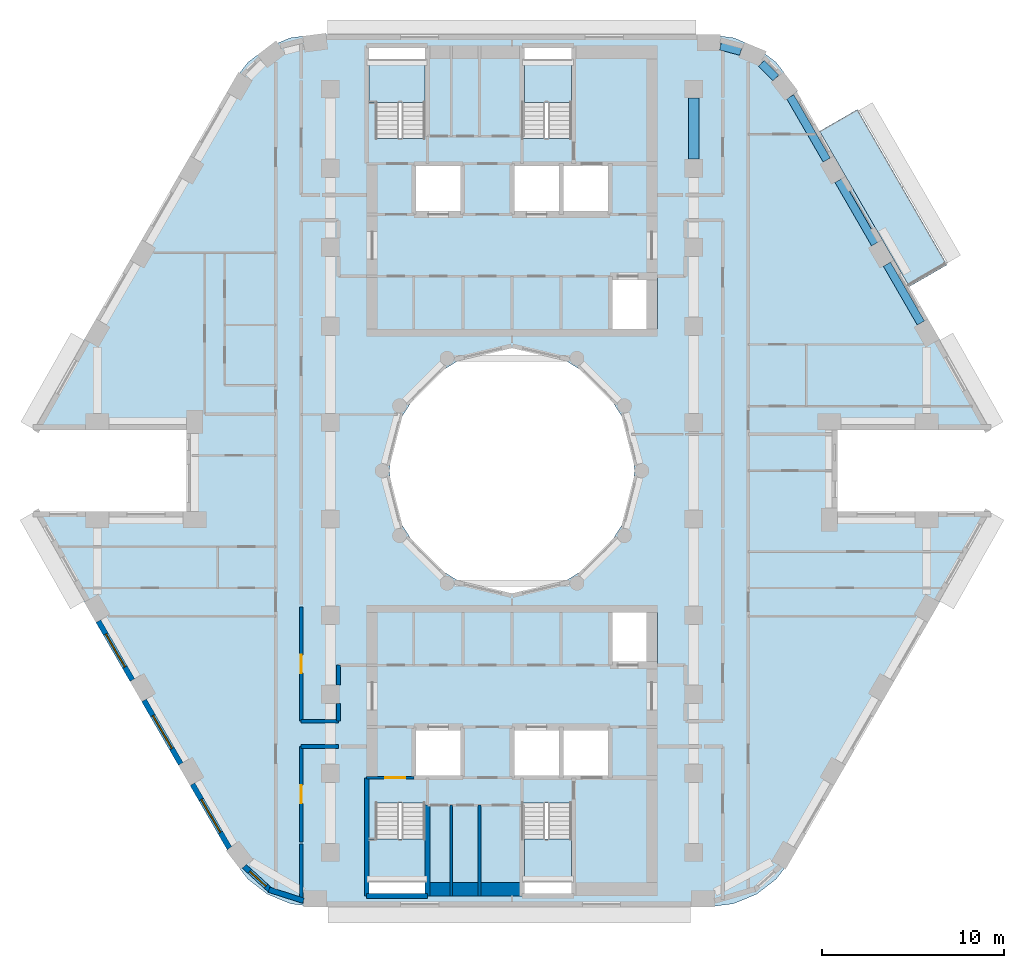
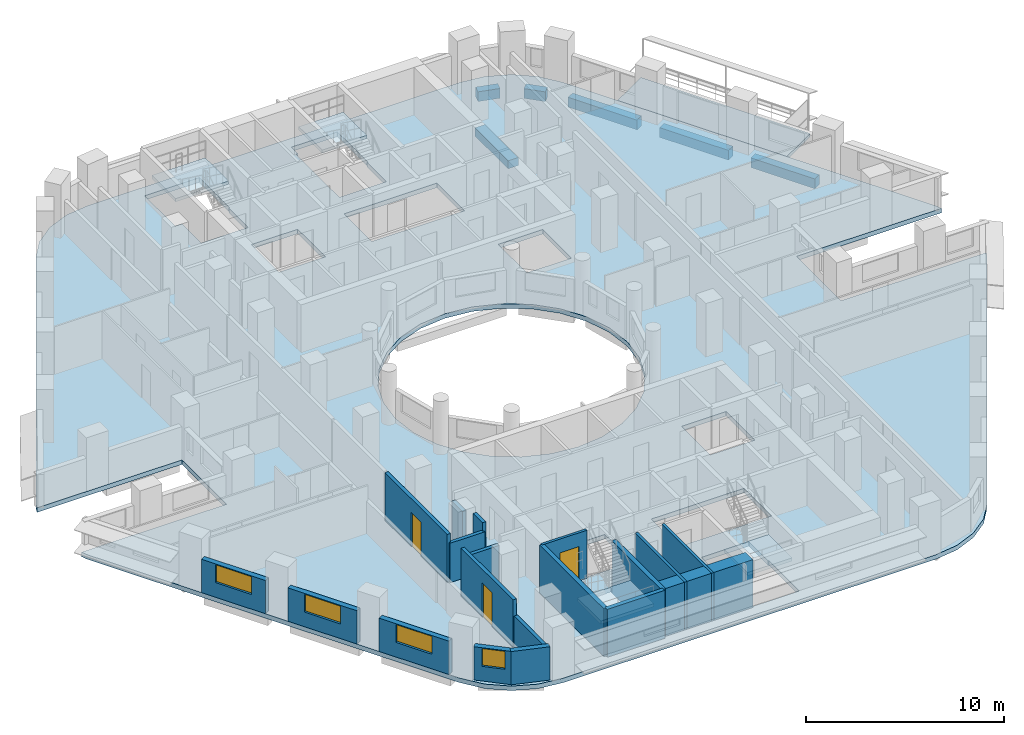
# One storey, part 2 of 14: 19 walls, 6 beams, 6 slabs, 4 windows, 3 doors, 7 openings, 4 elements without a shape of their own.
"""IFC4 building model written with IfcOpenShell, lengths in metres."""

from ifc_helpers import new_model, si_unit, direction, frame, frame_2d, origin, origin_2d, place, context, subcontext, project, spatial, polyline, rectangle, outline, extrude, material, layer, layer_set, material_profile, profile_set, type_object, element, fill, aggregate, save


model = new_model("IFC4")

# Units and contexts
model_context = context("Model", 3, precision=1e-05, world=origin(), true_north=direction((0.0, 1.0)))
body_context = subcontext(model_context, "Body", "Model", "MODEL_VIEW")
ifc_project = project(units=[si_unit("LENGTHUNIT", "METRE"), si_unit("AREAUNIT", "SQUARE_METRE"), si_unit("VOLUMEUNIT", "CUBIC_METRE"), si_unit("PLANEANGLEUNIT", "RADIAN"), si_unit("MASSUNIT", "GRAM", prefix="KILO")], contexts=[model_context])

# Site, building, storey
site_placement = place(None, origin())
site = spatial("IfcSite", under=ifc_project, at=site_placement, CompositionType="ELEMENT")
building_placement = place(site_placement, origin())
building = spatial("IfcBuilding", under=site, at=building_placement, Name="Nakaniwa Court", CompositionType="ELEMENT")
storey_placement = place(building_placement, frame((0.0, 0.0, 166.800048828125)))
storey = spatial("IfcBuildingStorey", under=building, at=storey_placement, Name="L44", CompositionType="ELEMENT", Elevation=166.800048828125)

# Beams
ifc_material_1 = material(Name="Concrete C80/100", Category="concrete")
ifc_material_profile_1 = material_profile(ifc_material_1, rectangle(XDim=0.449951171875, YDim=0.60009765625, at=origin_2d()), Name="Concrete C80/100 RC 450x600 spandrel beam")
ifc_profile_set_1 = profile_set([ifc_material_profile_1], Name="Concrete C80/100")
beam_type_1 = type_object("IfcBeamType", Name="Concrete C80/100 RC 450x600 spandrel beam", PredefinedType="BEAM", material=ifc_profile_set_1)
beam_1_placement = place(storey_placement, frame((102.497802734375, 88.132568359375, -0.574951171875), z_axis=(-0.50001905207, 0.866014403787, 0.0), x_axis=(-0.866014403787, -0.50001905207, 0.0)))
element("IfcBeam", 1, at=beam_1_placement, inside=storey, type_object=beam_type_1, Name="SPANDREL BEAM", PredefinedType="BEAM", context=body_context, shape_type="SweptSolid", body=[
    extrude(rectangle(XDim=0.449951171875, YDim=0.60009765625, at=origin_2d()), origin(), (0.0, 0.0, 1.0), 3.728759765625),
])
beam_2_placement = place(storey_placement, frame((99.9833984375, 92.487548828125, -0.574951171875), z_axis=(-0.499993669216, 0.866029058833, 0.0), x_axis=(-0.866029058833, -0.499993669216, 0.0)))
element("IfcBeam", 2, at=beam_2_placement, inside=storey, type_object=beam_type_1, Name="SPANDREL BEAM", PredefinedType="BEAM", context=body_context, shape_type="SweptSolid", body=[
    extrude(rectangle(XDim=0.449951171875, YDim=0.60009765625, at=origin_2d()), origin(), (0.0, 0.0, 1.0), 4.02587890625),
])
beam_3_placement = place(storey_placement, frame((97.320556640625, 97.10009765625, -0.574951171875), z_axis=(-0.500018573463, 0.866014680125, 0.0), x_axis=(-0.866014680125, -0.500018573463, 0.0)))
element("IfcBeam", 3, at=beam_3_placement, inside=storey, type_object=beam_type_1, Name="SPANDREL BEAM", PredefinedType="BEAM", context=body_context, shape_type="SweptSolid", body=[
    extrude(rectangle(XDim=0.449951171875, YDim=0.60009765625, at=origin_2d()), origin(), (0.0, 0.0, 1.0), 4.020263671875),
])
beam_4_placement = place(storey_placement, frame((94.519775390625, 101.61376953125, -0.574951171875), z_axis=(-0.706022429805, 0.708189472254, 0.0), x_axis=(-0.708189472254, -0.706022429805, 0.0)))
element("IfcBeam", 4, at=beam_4_placement, inside=storey, type_object=beam_type_1, Name="SPANDREL BEAM", PredefinedType="BEAM", context=body_context, shape_type="SweptSolid", body=[
    extrude(rectangle(XDim=0.449951171875, YDim=0.60009765625, at=origin_2d()), origin(), (0.0, 0.0, 1.0), 1.126708984375),
])
beam_5_placement = place(storey_placement, frame((92.593505859375, 103.078857421875, -0.574951171875), z_axis=(-0.966294404875, 0.257439552335, 0.0), x_axis=(-0.257439552335, -0.966294404875, 0.0)))
element("IfcBeam", 5, at=beam_5_placement, inside=storey, type_object=beam_type_1, Name="SPANDREL BEAM", PredefinedType="BEAM", context=body_context, shape_type="SweptSolid", body=[
    extrude(rectangle(XDim=0.449951171875, YDim=0.60009765625, at=origin_2d()), origin(), (0.0, 0.0, 1.0), 1.157958984375),
])
ifc_material_profile_2 = material_profile(ifc_material_1, rectangle(XDim=0.60009765625, YDim=0.5, at=origin_2d()), Name="Concrete C80/100 RC 600x500 ring beam")
ifc_profile_set_2 = profile_set([ifc_material_profile_2], Name="Concrete C80/100")
beam_type_2 = type_object("IfcBeamType", Name="Concrete C80/100 RC 600x500 ring beam", PredefinedType="BEAM", material=ifc_profile_set_2)
beam_6_placement = place(storey_placement, frame((90.0, 97.14990234375, -0.525146484375), z_axis=(0.0, 1.0, 0.0), x_axis=(-1.0, 0.0, 0.0)))
element("IfcBeam", 6, at=beam_6_placement, inside=storey, type_object=beam_type_2, Name="RING BEAM", PredefinedType="BEAM", context=body_context, shape_type="SweptSolid", body=[
    extrude(rectangle(XDim=0.60009765625, YDim=0.5, at=origin_2d()), origin(), (0.0, 0.0, 1.0), 3.35009765625),
])

# Slabs
ifc_material_2 = material(Name="Charcoal ceramic paver")
ifc_layer_1 = layer(ifc_material_2, 0.02, Name="Ceramic paver")
ifc_material_3 = material(Name="Cement sand screed")
ifc_layer_2 = layer(ifc_material_3, 0.03, Name="Falls screed")
ifc_material_4 = material(Name="Concrete C40/50", Category="concrete")
ifc_layer_3 = layer(ifc_material_4, 0.15, Name="Balcony slab")
ifc_layer_set_1 = layer_set([ifc_layer_1, ifc_layer_2, ifc_layer_3], Name="Concrete C40/50 balcony slab with ceramic paver finish")
slab_type_1 = type_object("IfcSlabType", Name="Balcony slab 200", PredefinedType="FLOOR", material=ifc_layer_set_1)
slab_1_placement = place(storey_placement, frame((0.0, 0.0, -0.25)))
element("IfcSlab", 7, at=slab_1_placement, inside=storey, type_object=slab_type_1, Name="L44 balcony 01", PredefinedType="FLOOR", context=body_context, shape_type="SweptSolid", body=[
    extrude(outline(polyline([(101.86328125, 90.1318359375), (96.927734375, 98.680419921875), (99.006103515625, 99.88037109375), (103.941650390625, 91.331787109375), (101.86328125, 90.1318359375)])), origin(), (0.0, 0.0, 1.0), 0.199951171875),
])
ifc_layer_4 = layer(ifc_material_1, 0.27490234375)
ifc_layer_set_2 = layer_set([ifc_layer_4], Name="Concrete C80/100")
slab_type_2 = type_object("IfcSlabType", Name="Concrete C80/100 post tensioned floor slab 275", PredefinedType="FLOOR", material=ifc_layer_set_2)
slab_2_placement = place(storey_placement, frame((0.0, 0.0, -0.275146484375)))
element("IfcSlab", 8, at=slab_2_placement, inside=storey, type_object=slab_type_2, Name="FLOOR SLAB", PredefinedType="FLOOR", context=body_context, shape_type="SweptSolid", body=[
    extrude(outline(polyline([(97.908447265625, 82.25), (106.356689453125, 82.25), (106.211669921875, 82.60009765625), (95.357421875, 101.39990234375), (94.531005859375, 102.47705078125), (93.4541015625, 103.30322265625), (92.199951171875, 103.82275390625), (90.854248046875, 104.0), (69.145751953125, 104.0), (67.800048828125, 103.82275390625), (66.5458984375, 103.30322265625), (65.468994140625, 102.47705078125), (64.642578125, 101.39990234375), (53.788330078125, 82.60009765625), (53.643310546875, 82.25), (62.091552734375, 82.25), (62.091552734375, 77.75), (53.643310546875, 77.75), (53.788330078125, 77.39990234375), (64.642578125, 58.60009765625), (65.468994140625, 57.52294921875), (66.5458984375, 56.69677734375), (67.800048828125, 56.17724609375), (69.145751953125, 56.0), (90.854248046875, 56.0), (92.199951171875, 56.17724609375), (93.4541015625, 56.69677734375), (94.531005859375, 57.52294921875), (95.357421875, 58.60009765625), (106.211669921875, 77.39990234375), (106.356689453125, 77.75), (97.908447265625, 77.75), (97.908447265625, 82.25)]), holes=[polyline([(81.501953125, 86.580810546875), (80.0, 86.75), (78.498046875, 86.580810546875), (77.0712890625, 86.08154296875), (75.79150390625, 85.27734375), (74.72265625, 84.20849609375), (73.91845703125, 82.9287109375), (73.419189453125, 81.501953125), (73.25, 80.0), (73.419189453125, 78.498046875), (73.91845703125, 77.0712890625), (74.72265625, 75.79150390625), (75.79150390625, 74.72265625), (77.0712890625, 73.91845703125), (78.498046875, 73.419189453125), (80.0, 73.25), (81.501953125, 73.419189453125), (82.9287109375, 73.91845703125), (84.20849609375, 74.72265625), (85.27734375, 75.79150390625), (86.08154296875, 77.0712890625), (86.580810546875, 78.498046875), (86.75, 80.0), (86.580810546875, 81.501953125), (86.08154296875, 82.9287109375), (85.27734375, 84.20849609375), (84.20849609375, 85.27734375), (82.9287109375, 86.08154296875), (81.501953125, 86.580810546875)]), polyline([(72.47509765625, 61.7099609375), (72.47509765625, 59.764892578125), (72.0849609375, 59.764892578125), (72.0849609375, 56.68505859375), (75.264892578125, 56.68505859375), (75.264892578125, 59.764892578125), (75.22509765625, 59.764892578125), (75.22509765625, 61.7099609375), (72.47509765625, 61.7099609375)]), polyline([(77.300048828125, 65.89990234375), (74.60009765625, 65.89990234375), (74.60009765625, 63.10009765625), (77.300048828125, 63.10009765625), (77.300048828125, 65.89990234375)]), polyline([(80.0, 65.89990234375), (80.0, 63.10009765625), (82.699951171875, 63.10009765625), (85.39990234375, 63.10009765625), (85.39990234375, 65.89990234375), (82.699951171875, 65.89990234375), (80.0, 65.89990234375)]), polyline([(77.300048828125, 96.89990234375), (74.60009765625, 96.89990234375), (74.60009765625, 94.10009765625), (77.300048828125, 94.10009765625), (77.300048828125, 96.89990234375)]), polyline([(80.0, 96.89990234375), (80.0, 94.10009765625), (82.699951171875, 94.10009765625), (85.39990234375, 94.10009765625), (85.39990234375, 96.89990234375), (82.699951171875, 96.89990234375), (80.0, 96.89990234375)]), polyline([(75.264892578125, 100.235107421875), (75.264892578125, 103.31494140625), (72.0849609375, 103.31494140625), (72.0849609375, 100.235107421875), (72.47509765625, 100.235107421875), (72.47509765625, 98.2900390625), (75.22509765625, 98.2900390625), (75.22509765625, 100.235107421875), (75.264892578125, 100.235107421875)]), polyline([(83.27490234375, 61.7099609375), (80.52490234375, 61.7099609375), (80.52490234375, 57.324951171875), (80.635009765625, 57.324951171875), (80.635009765625, 56.68505859375), (83.31494140625, 56.68505859375), (83.31494140625, 59.764892578125), (83.27490234375, 59.764892578125), (83.27490234375, 61.7099609375)]), polyline([(88.0, 72.199951171875), (85.39990234375, 72.199951171875), (85.39990234375, 69.300048828125), (88.0, 69.300048828125), (88.0, 72.199951171875)]), polyline([(88.0, 90.699951171875), (85.39990234375, 90.699951171875), (85.39990234375, 87.800048828125), (88.0, 87.800048828125), (88.0, 90.699951171875)]), polyline([(83.31494140625, 100.235107421875), (83.31494140625, 103.31494140625), (80.635009765625, 103.31494140625), (80.635009765625, 102.675048828125), (80.52490234375, 102.675048828125), (80.52490234375, 98.2900390625), (83.27490234375, 98.2900390625), (83.27490234375, 100.235107421875), (83.31494140625, 100.235107421875)])]), origin(), (0.0, 0.0, 1.0), 0.275146484375),
])

# Stair, slab
stair_type = type_object("IfcStairType", Name="Dog leg stair 1300 wide 18 risers", PredefinedType="HALF_TURN_STAIR", material=ifc_material_1)
stair_1_placement = place(storey_placement, origin())
stair_1 = element("IfcStair", 9, at=stair_1_placement, inside=storey, type_object=stair_type, Name="L44 Stair ST1", PredefinedType="HALF_TURN_STAIR")
ifc_layer_5 = layer(ifc_material_1, 0.199951171875)
ifc_layer_set_3 = layer_set([ifc_layer_5], Name="Concrete C80/100")
slab_type_3 = type_object("IfcSlabType", Name="Stair landing concrete", PredefinedType="LANDING", material=ifc_layer_set_3)
slab_3_placement = place(storey_placement, frame((0.0, 0.0, 1.449951171875)))
slab_3 = element("IfcSlab", 10, at=slab_3_placement, type_object=slab_type_3, Name="ST1 landing 1", PredefinedType="LANDING", context=body_context, shape_type="SweptSolid", body=[
    extrude(outline(polyline([(75.22509765625, 100.27490234375), (75.22509765625, 102.64990234375), (72.125, 102.64990234375), (72.125, 100.27490234375), (75.22509765625, 100.27490234375)])), origin(), (0.0, 0.0, 1.0), 0.199951171875),
])
aggregate(stair_1, [slab_3])

stair_2_placement = place(storey_placement, origin())
stair_2 = element("IfcStair", 11, at=stair_2_placement, inside=storey, type_object=stair_type, Name="L44 Stair ST2", PredefinedType="HALF_TURN_STAIR")
slab_4_placement = place(storey_placement, frame((0.0, 0.0, 1.449951171875)))
slab_4 = element("IfcSlab", 12, at=slab_4_placement, type_object=slab_type_3, Name="ST2 landing 1", PredefinedType="LANDING", context=body_context, shape_type="SweptSolid", body=[
    extrude(outline(polyline([(83.27490234375, 100.27490234375), (83.27490234375, 102.64990234375), (80.675048828125, 102.64990234375), (80.675048828125, 100.27490234375), (83.27490234375, 100.27490234375)])), origin(), (0.0, 0.0, 1.0), 0.199951171875),
])
aggregate(stair_2, [slab_4])

stair_3_placement = place(storey_placement, origin())
stair_3 = element("IfcStair", 13, at=stair_3_placement, inside=storey, type_object=stair_type, Name="L44 Stair ST3", PredefinedType="HALF_TURN_STAIR")
slab_5_placement = place(storey_placement, frame((0.0, 0.0, 1.449951171875)))
slab_5 = element("IfcSlab", 14, at=slab_5_placement, type_object=slab_type_3, Name="ST3 landing 1", PredefinedType="LANDING", context=body_context, shape_type="SweptSolid", body=[
    extrude(outline(polyline([(75.22509765625, 57.35009765625), (75.22509765625, 59.72509765625), (72.125, 59.72509765625), (72.125, 57.35009765625), (75.22509765625, 57.35009765625)])), origin(), (0.0, 0.0, 1.0), 0.199951171875),
])
aggregate(stair_3, [slab_5])

stair_4_placement = place(storey_placement, origin())
stair_4 = element("IfcStair", 15, at=stair_4_placement, inside=storey, type_object=stair_type, Name="L44 Stair ST4", PredefinedType="HALF_TURN_STAIR")
slab_6_placement = place(storey_placement, frame((0.0, 0.0, 1.449951171875)))
slab_6 = element("IfcSlab", 16, at=slab_6_placement, type_object=slab_type_3, Name="ST4 landing 1", PredefinedType="LANDING", context=body_context, shape_type="SweptSolid", body=[
    extrude(outline(polyline([(83.27490234375, 57.35009765625), (83.27490234375, 59.72509765625), (80.675048828125, 59.72509765625), (80.675048828125, 57.35009765625), (83.27490234375, 57.35009765625)])), origin(), (0.0, 0.0, 1.0), 0.199951171875),
])
aggregate(stair_4, [slab_6])

# Walls
ifc_material_5 = material(Name="Acoustic double stud partition")
ifc_layer_6 = layer(ifc_material_5, 0.199951171875)
ifc_layer_set_4 = layer_set([ifc_layer_6], Name="Acoustic double stud partition")
wall_type_1 = type_object("IfcWallType", Name="Acoustic double stud partition 200", PredefinedType="PARTITIONING", material=ifc_layer_set_4)
wall_1_placement = place(storey_placement, frame((68.39990234375, 64.824951171875, 0.0), z_axis=(0.0, 0.0, 1.0), x_axis=(1.0, 0.0, 0.0)))
element("IfcWall", 17, at=wall_1_placement, inside=storey, type_object=wall_type_1, Name="Partition PW-081", PredefinedType="PARTITIONING", context=body_context, shape_type="SweptSolid", body=[
    extrude(rectangle(XDim=2.06298828125, YDim=0.199951171875, at=frame_2d((1.031494140625, 0.0))), origin(), (0.0, 0.0, 1.0), 2.429931640625),
])
wall_2_placement = place(storey_placement, frame((68.39990234375, 66.22509765625, 0.0), z_axis=(0.0, 0.0, 1.0), x_axis=(1.0, 0.0, 0.0)))
element("IfcWall", 18, at=wall_2_placement, inside=storey, type_object=wall_type_1, Name="Partition PW-092", PredefinedType="PARTITIONING", context=body_context, shape_type="SweptSolid", body=[
    extrude(rectangle(XDim=2.050048828125, YDim=0.199951171875, at=frame_2d((1.02490234375, 0.0))), origin(), (0.0, 0.0, 1.0), 2.429931640625),
])
wall_3_placement = place(storey_placement, frame((68.39990234375, 56.40087890625, 0.0), z_axis=(0.0, 0.0, 1.0), x_axis=(0.0, 1.0, 0.0)))
element("IfcWall", 19, at=wall_3_placement, inside=storey, type_object=wall_type_1, Name="Partition PW-102", PredefinedType="PARTITIONING", context=body_context, shape_type="SweptSolid", body=[
    extrude(rectangle(XDim=3.06201171875, YDim=0.199951171875, at=frame_2d((1.531005859375, 0.0))), origin(), (0.0, 0.0, 1.0), 2.030029296875),
])

# Wall, opening, door
wall_4_placement = place(storey_placement, frame((68.39990234375, 64.824951171875, 0.0), z_axis=(0.0, 0.0, 1.0), x_axis=(0.0, -1.0, 0.0)))
wall_4 = element("IfcWall", 20, at=wall_4_placement, inside=storey, type_object=wall_type_1, Name="Partition PW-103", PredefinedType="PARTITIONING", context=body_context, shape_type="SweptSolid", body=[
    extrude(rectangle(XDim=5.247802734375, YDim=0.199951171875, at=frame_2d((2.6240234375, 0.0))), origin(), (0.0, 0.0, 1.0), 2.949951171875),
])
opening_1_placement = place(wall_4_placement, frame((2.123046875, 0.0, 0.0)))
opening_1 = element("IfcOpeningElement", 21, at=opening_1_placement, cuts=wall_4, Name="Opening D-02-03", PredefinedType="OPENING", context=body_context, shape_type="SweptSolid", body=[
    extrude(rectangle(XDim=1.0, YDim=2.10009765625, at=frame_2d((0.5, 1.050048828125))), frame((0.0, 0.10986328125, 0.0), z_axis=(0.0, -1.0, 0.0), x_axis=(1.0, 0.0, 0.0)), (0.0, 0.0, 1.0), 0.219970703125),
])
ifc_material_6 = material(Name="Solid core timber door set, black veneer", Category="wood")
door_type_1 = type_object("IfcDoorType", Name="Internal door 1000", OperationType="NOTDEFINED", PredefinedType="DOOR", material=ifc_material_6)
door_1_placement = place(opening_1_placement, origin())
door_1 = element("IfcDoor", 22, at=door_1_placement, inside=storey, type_object=door_type_1, Name="Door D-02-03 L44-041", OperationType="SINGLE_SWING_RIGHT", OverallHeight=2.10009765625, OverallWidth=1.0, PredefinedType="DOOR", context=body_context, shape_type="SweptSolid", body=[
    extrude(rectangle(XDim=1.0, YDim=2.10009765625, at=frame_2d((0.5, 1.050048828125))), frame((0.0, 0.02490234375, 0.0), z_axis=(0.0, -1.0, 0.0), x_axis=(1.0, 0.0, 0.0)), (0.0, 0.0, 1.0), 0.050048828125),
])
fill(opening_1, door_1)

wall_5_placement = place(storey_placement, frame((68.39990234375, 72.5126953125, 0.0), z_axis=(0.0, 0.0, 1.0), x_axis=(0.0, -1.0, 0.0)))
wall_5 = element("IfcWall", 23, at=wall_5_placement, inside=storey, type_object=wall_type_1, Name="Partition PW-104", PredefinedType="PARTITIONING", context=body_context, shape_type="SweptSolid", body=[
    extrude(rectangle(XDim=6.28759765625, YDim=0.199951171875, at=frame_2d((3.143798828125, 0.0))), origin(), (0.0, 0.0, 1.0), 2.949951171875),
])
opening_2_placement = place(wall_5_placement, frame((2.64501953125, 0.0, 0.0)))
opening_2 = element("IfcOpeningElement", 24, at=opening_2_placement, cuts=wall_5, Name="Opening D-02-04", PredefinedType="OPENING", context=body_context, shape_type="SweptSolid", body=[
    extrude(rectangle(XDim=1.0, YDim=2.10009765625, at=frame_2d((0.5, 1.050048828125))), frame((0.0, 0.10986328125, 0.0), z_axis=(0.0, -1.0, 0.0), x_axis=(1.0, 0.0, 0.0)), (0.0, 0.0, 1.0), 0.219970703125),
])
door_2_placement = place(opening_2_placement, origin())
door_2 = element("IfcDoor", 25, at=door_2_placement, inside=storey, type_object=door_type_1, Name="Door D-02-04 L44-043", OperationType="SINGLE_SWING_RIGHT", OverallHeight=2.10009765625, OverallWidth=1.0, PredefinedType="DOOR", context=body_context, shape_type="SweptSolid", body=[
    extrude(rectangle(XDim=1.0, YDim=2.10009765625, at=frame_2d((0.5, 1.050048828125))), frame((0.0, 0.02490234375, 0.0), z_axis=(0.0, -1.0, 0.0), x_axis=(1.0, 0.0, 0.0)), (0.0, 0.0, 1.0), 0.050048828125),
])
fill(opening_2, door_2)

# Walls
wall_6_placement = place(storey_placement, frame((70.449951171875, 66.22509765625, 0.0), z_axis=(0.0, 0.0, 1.0), x_axis=(0.0, 1.0, 0.0)))
element("IfcWall", 26, at=wall_6_placement, inside=storey, type_object=wall_type_1, Name="Partition PW-111", PredefinedType="PARTITIONING", context=body_context, shape_type="SweptSolid", body=[
    extrude(rectangle(XDim=0.957763671875, YDim=0.199951171875, at=frame_2d((0.47900390625, 0.0))), origin(), (0.0, 0.0, 1.0), 2.949951171875),
])
wall_7_placement = place(storey_placement, frame((70.449951171875, 68.21728515625, 0.0), z_axis=(0.0, 0.0, 1.0), x_axis=(0.0, 1.0, 0.0)))
element("IfcWall", 27, at=wall_7_placement, inside=storey, type_object=wall_type_1, Name="Partition PW-112", PredefinedType="PARTITIONING", context=body_context, shape_type="SweptSolid", body=[
    extrude(rectangle(XDim=1.082763671875, YDim=0.199951171875, at=frame_2d((0.54150390625, 0.0))), origin(), (0.0, 0.0, 1.0), 2.429931640625),
])

# Wall, opening, window
ifc_material_7 = material(Name="Charcoal ceramic cladding")
ifc_layer_7 = layer(ifc_material_7, 0.02, Name="Ceramic cladding")
ifc_material_8 = material(Name="Ventilated air cavity")
ifc_layer_8 = layer(ifc_material_8, 0.04, ventilated=True, Name="Ventilated cavity")
ifc_material_9 = material(Name="Mineral wool insulation")
ifc_layer_9 = layer(ifc_material_9, 0.1, Name="Insulation")
ifc_material_10 = material(Name="Cement bonded sheathing board")
ifc_layer_10 = layer(ifc_material_10, 0.012, Name="Sheathing")
ifc_material_11 = material(Name="Cold-formed galvanised stud frame with mineral wool infill")
ifc_layer_11 = layer(ifc_material_11, 0.1, Name="Stud frame")
ifc_material_12 = material(Name="Fire-rated gypsum plasterboard lining")
ifc_layer_12 = layer(ifc_material_12, 0.028, Name="Lining")
ifc_layer_set_5 = layer_set([ifc_layer_7, ifc_layer_8, ifc_layer_9, ifc_layer_10, ifc_layer_11, ifc_layer_12], Name="Charcoal ceramic faced external wall system")
wall_type_2 = type_object("IfcWallType", Name="Black ceramic faced external wall 300", PredefinedType="SOLIDWALL", material=ifc_layer_set_5)
wall_8_placement = place(storey_placement, frame((57.240478515625, 71.720947265625, 0.0), z_axis=(0.0, 0.0, 1.0), x_axis=(0.499933594891, -0.866063739398, 0.0)))
wall_8 = element("IfcWall", 28, at=wall_8_placement, inside=storey, type_object=wall_type_2, Name="L44 external wall 21", PredefinedType="SOLIDWALL", context=body_context, shape_type="SweptSolid", body=[
    extrude(rectangle(XDim=3.73681640625, YDim=0.300048828125, at=frame_2d((1.868408203125, 0.0))), origin(), (0.0, 0.0, 1.0), 2.050048828125),
])
opening_3_placement = place(wall_8_placement, frame((0.818359375, 0.0, 0.89990234375)))
opening_3 = element("IfcOpeningElement", 29, at=opening_3_placement, cuts=wall_8, Name="Opening W7.19", PredefinedType="OPENING", context=body_context, shape_type="SweptSolid", body=[
    extrude(rectangle(XDim=2.10009765625, YDim=1.10009765625, at=frame_2d((1.050048828125, 0.550048828125))), frame((0.0, 0.159912109375, 0.0), z_axis=(0.0, -1.0, 0.0), x_axis=(1.0, 0.0, 0.0)), (0.0, 0.0, 1.0), 0.320068359375),
])
ifc_material_13 = material(Name="Black anodised aluminium frame with dark low-E laminated double glazing", Category="aluminium")
window_type_1 = type_object("IfcWindowType", Name="Dark glass window 2100x1100 sill 900", PartitioningType="SINGLE_PANEL", PredefinedType="WINDOW", material=ifc_material_13)
window_1_placement = place(opening_3_placement, origin())
window_1 = element("IfcWindow", 30, at=window_1_placement, inside=storey, type_object=window_type_1, Name="L44 habitable room window 21-0", OverallHeight=1.10009765625, OverallWidth=2.10009765625, PartitioningType="SINGLE_PANEL", PredefinedType="WINDOW", context=body_context, shape_type="SweptSolid", body=[
    extrude(rectangle(XDim=2.10009765625, YDim=1.10009765625, at=frame_2d((1.050048828125, 0.550048828125))), frame((0.0, 0.030029296875, 0.0), z_axis=(0.0, -1.0, 0.0), x_axis=(1.0, 0.0, 0.0)), (0.0, 0.0, 1.0), 0.06005859375),
])
fill(opening_3, window_1)

wall_9_placement = place(storey_placement, frame((59.754638671875, 67.36572265625, 0.0), z_axis=(0.0, 0.0, 1.0), x_axis=(0.500031546601, -0.86600718958, 0.0)))
wall_9 = element("IfcWall", 31, at=wall_9_placement, inside=storey, type_object=wall_type_2, Name="L44 external wall 22", PredefinedType="SOLIDWALL", context=body_context, shape_type="SweptSolid", body=[
    extrude(rectangle(XDim=4.033935546875, YDim=0.300048828125, at=frame_2d((2.01708984375, 0.0))), origin(), (0.0, 0.0, 1.0), 2.050048828125),
])
opening_4_placement = place(wall_9_placement, frame((0.966796875, 0.0, 0.89990234375)))
opening_4 = element("IfcOpeningElement", 32, at=opening_4_placement, cuts=wall_9, Name="Opening W7.20", PredefinedType="OPENING", context=body_context, shape_type="SweptSolid", body=[
    extrude(rectangle(XDim=2.10009765625, YDim=1.10009765625, at=frame_2d((1.050048828125, 0.550048828125))), frame((0.0, 0.159912109375, 0.0), z_axis=(0.0, -1.0, 0.0), x_axis=(1.0, 0.0, 0.0)), (0.0, 0.0, 1.0), 0.320068359375),
])
window_2_placement = place(opening_4_placement, origin())
window_2 = element("IfcWindow", 33, at=window_2_placement, inside=storey, type_object=window_type_1, Name="L44 habitable room window 22-0", OverallHeight=1.10009765625, OverallWidth=2.10009765625, PartitioningType="SINGLE_PANEL", PredefinedType="WINDOW", context=body_context, shape_type="SweptSolid", body=[
    extrude(rectangle(XDim=2.10009765625, YDim=1.10009765625, at=frame_2d((1.050048828125, 0.550048828125))), frame((0.0, 0.030029296875, 0.0), z_axis=(0.0, -1.0, 0.0), x_axis=(1.0, 0.0, 0.0)), (0.0, 0.0, 1.0), 0.06005859375),
])
fill(opening_4, window_2)

wall_10_placement = place(storey_placement, frame((62.417724609375, 62.75341796875, 0.0), z_axis=(0.0, 0.0, 1.0), x_axis=(0.500018589245, -0.866014671013, 0.0)))
wall_10 = element("IfcWall", 34, at=wall_10_placement, inside=storey, type_object=wall_type_2, Name="L44 external wall 23", PredefinedType="SOLIDWALL", context=body_context, shape_type="SweptSolid", body=[
    extrude(rectangle(XDim=4.067626953125, YDim=0.300048828125, at=frame_2d((2.03369140625, 0.0))), origin(), (0.0, 0.0, 1.0), 2.050048828125),
])
opening_5_placement = place(wall_10_placement, frame((0.97265625, 0.0, 0.89990234375)))
opening_5 = element("IfcOpeningElement", 35, at=opening_5_placement, cuts=wall_10, Name="Opening W7.21", PredefinedType="OPENING", context=body_context, shape_type="SweptSolid", body=[
    extrude(rectangle(XDim=2.10009765625, YDim=1.10009765625, at=frame_2d((1.050048828125, 0.550048828125))), frame((0.0, 0.159912109375, 0.0), z_axis=(0.0, -1.0, 0.0), x_axis=(1.0, 0.0, 0.0)), (0.0, 0.0, 1.0), 0.320068359375),
])
window_3_placement = place(opening_5_placement, origin())
window_3 = element("IfcWindow", 36, at=window_3_placement, inside=storey, type_object=window_type_1, Name="L44 habitable room window 23-0", OverallHeight=1.10009765625, OverallWidth=2.10009765625, PartitioningType="SINGLE_PANEL", PredefinedType="WINDOW", context=body_context, shape_type="SweptSolid", body=[
    extrude(rectangle(XDim=2.10009765625, YDim=1.10009765625, at=frame_2d((1.050048828125, 0.550048828125))), frame((0.0, 0.030029296875, 0.0), z_axis=(0.0, -1.0, 0.0), x_axis=(1.0, 0.0, 0.0)), (0.0, 0.0, 1.0), 0.06005859375),
])
fill(opening_5, window_3)

wall_11_placement = place(storey_placement, frame((65.26904296875, 58.229248046875, 0.0), z_axis=(0.0, 0.0, 1.0), x_axis=(0.737487298625, -0.675361002995, 0.0)))
wall_11 = element("IfcWall", 37, at=wall_11_placement, inside=storey, type_object=wall_type_2, Name="L44 external wall 24", PredefinedType="SOLIDWALL", context=body_context, shape_type="SweptSolid", body=[
    extrude(rectangle(XDim=1.9765625, YDim=0.300048828125, at=frame_2d((0.98828125, 0.0))), origin(), (0.0, 0.0, 1.0), 2.050048828125),
])
opening_6_placement = place(wall_11_placement, frame((0.415283203125, 0.0, 0.89990234375)))
opening_6 = element("IfcOpeningElement", 38, at=opening_6_placement, cuts=wall_11, Name="Opening W6.22", PredefinedType="OPENING", context=body_context, shape_type="SweptSolid", body=[
    extrude(rectangle(XDim=1.199951171875, YDim=1.10009765625, at=frame_2d((0.60009765625, 0.550048828125))), frame((0.0, 0.159912109375, 0.0), z_axis=(0.0, -1.0, 0.0), x_axis=(1.0, 0.0, 0.0)), (0.0, 0.0, 1.0), 0.320068359375),
])
window_type_2 = type_object("IfcWindowType", Name="Dark glass window 1200x1100 sill 900", PartitioningType="SINGLE_PANEL", PredefinedType="WINDOW", material=ifc_material_13)
window_4_placement = place(opening_6_placement, origin())
window_4 = element("IfcWindow", 39, at=window_4_placement, inside=storey, type_object=window_type_2, Name="L44 habitable room window 24-0", OverallHeight=1.10009765625, OverallWidth=1.199951171875, PartitioningType="SINGLE_PANEL", PredefinedType="WINDOW", context=body_context, shape_type="SweptSolid", body=[
    extrude(rectangle(XDim=1.199951171875, YDim=1.10009765625, at=frame_2d((0.60009765625, 0.550048828125))), frame((0.0, 0.030029296875, 0.0), z_axis=(0.0, -1.0, 0.0), x_axis=(1.0, 0.0, 0.0)), (0.0, 0.0, 1.0), 0.06005859375),
])
fill(opening_6, window_4)

# Walls
wall_12_placement = place(storey_placement, frame((66.625732421875, 56.94580078125, 0.0), z_axis=(0.0, 0.0, 1.0), x_axis=(0.952201240673, -0.305471434444, 0.0)))
element("IfcWall", 40, at=wall_12_placement, inside=storey, type_object=wall_type_2, Name="L44 external wall 25", PredefinedType="SOLIDWALL", context=body_context, shape_type="SweptSolid", body=[
    extrude(rectangle(XDim=1.998779296875, YDim=0.300048828125, at=frame_2d((0.99951171875, 0.0))), origin(), (0.0, 0.0, 1.0), 2.050048828125),
])
ifc_material_14 = material(Name="Blockwork partition", Category="masonry")
ifc_layer_13 = layer(ifc_material_14, 0.14990234375)
ifc_layer_set_6 = layer_set([ifc_layer_13], Name="Blockwork partition")
wall_type_3 = type_object("IfcWallType", Name="Blockwork partition 150", PredefinedType="PARTITIONING", material=ifc_layer_set_6)
for number, where, z_axis, x_axis, name in (
    (41, (76.64990234375, 56.60009765625, 0.0), (0.0, 0.0, 1.0), (0.0, 1.0, 0.0), "Partition PW-071"),
    (42, (78.2099609375, 56.60009765625, 0.0), (0.0, 0.0, 1.0), (0.0, 1.0, 0.0), "Partition PW-072"),
):
    element("IfcWall", number, at=place(storey_placement, frame(where, z_axis=z_axis, x_axis=x_axis)), inside=storey, type_object=wall_type_3, Name=name, PredefinedType="PARTITIONING", context=body_context, shape_type="SweptSolid", body=[
        extrude(rectangle(XDim=5.0, YDim=0.14990234375, at=frame_2d((2.5, 0.0))), origin(), (0.0, 0.0, 1.0), 2.949951171875),
    ])

# Wall, opening, door
ifc_layer_14 = layer(ifc_material_1, 0.14990234375)
ifc_layer_set_7 = layer_set([ifc_layer_14], Name="Concrete C80/100")
wall_type_4 = type_object("IfcWallType", Name="Concrete core wall 150 C80", PredefinedType="SHEAR", material=ifc_layer_set_7)
wall_13_placement = place(storey_placement, frame((72.0, 63.10009765625, -0.275146484375), z_axis=(0.0, 0.0, 1.0), x_axis=(1.0, 0.0, 0.0)))
wall_13 = element("IfcWall", 43, at=wall_13_placement, inside=storey, type_object=wall_type_4, Name="Core wall SW-53", PredefinedType="SHEAR", context=body_context, shape_type="SweptSolid", body=[
    extrude(rectangle(XDim=2.60009765625, YDim=0.14990234375, at=frame_2d((1.300048828125, 0.0))), origin(), (0.0, 0.0, 1.0), 3.22509765625),
])
opening_7_placement = place(wall_13_placement, frame((1.02001953125, 0.0, 0.27490234375)))
opening_7 = element("IfcOpeningElement", 44, at=opening_7_placement, cuts=wall_13, Name="Opening D-09-02", PredefinedType="OPENING", context=body_context, shape_type="SweptSolid", body=[
    extrude(rectangle(XDim=1.10009765625, YDim=2.10009765625, at=frame_2d((0.550048828125, 1.050048828125))), frame((0.0, 0.0849609375, 0.0), z_axis=(0.0, -1.0, 0.0), x_axis=(1.0, 0.0, 0.0)), (0.0, 0.0, 1.0), 0.169921875),
])
ifc_material_15 = material(Name="Fire rated steel door set", Category="steel")
door_type_2 = type_object("IfcDoorType", Name="Stair door 1100", OperationType="NOTDEFINED", PredefinedType="DOOR", material=ifc_material_15)
door_3_placement = place(opening_7_placement, origin())
door_3 = element("IfcDoor", 45, at=door_3_placement, inside=storey, type_object=door_type_2, Name="Door D-09-02 L44-027", OperationType="SINGLE_SWING_LEFT", OverallHeight=2.10009765625, OverallWidth=1.10009765625, PredefinedType="DOOR", context=body_context, shape_type="SweptSolid", body=[
    extrude(rectangle(XDim=1.10009765625, YDim=2.10009765625, at=frame_2d((0.550048828125, 1.050048828125))), frame((0.0, 0.02490234375, 0.0), z_axis=(0.0, -1.0, 0.0), x_axis=(1.0, 0.0, 0.0)), (0.0, 0.0, 1.0), 0.050048828125),
])
fill(opening_7, door_3)

# Walls
ifc_layer_15 = layer(ifc_material_1, 0.25)
ifc_layer_set_8 = layer_set([ifc_layer_15], Name="Concrete C80/100")
wall_type_5 = type_object("IfcWallType", Name="Concrete core wall 250 C80", PredefinedType="SHEAR", material=ifc_layer_set_8)
wall_14_placement = place(storey_placement, frame((72.0, 56.60009765625, -0.275146484375), z_axis=(0.0, 0.0, 1.0), x_axis=(0.0, 1.0, 0.0)))
element("IfcWall", 46, at=wall_14_placement, inside=storey, type_object=wall_type_5, Name="Core wall SW-62", PredefinedType="SHEAR", context=body_context, shape_type="SweptSolid", body=[
    extrude(rectangle(XDim=6.5, YDim=0.25, at=frame_2d((3.25, 0.0))), origin(), (0.0, 0.0, 1.0), 3.22509765625),
])
wall_15_placement = place(storey_placement, frame((72.0, 56.60009765625, -0.275146484375), z_axis=(0.0, 0.0, 1.0), x_axis=(1.0, 0.0, 0.0)))
element("IfcWall", 47, at=wall_15_placement, inside=storey, type_object=wall_type_5, Name="Core wall SW-63", PredefinedType="SHEAR", context=body_context, shape_type="SweptSolid", body=[
    extrude(rectangle(XDim=3.35009765625, YDim=0.25, at=frame_2d((1.675048828125, 0.0))), origin(), (0.0, 0.0, 1.0), 3.22509765625),
])
ifc_layer_16 = layer(ifc_material_1, 0.75)
ifc_layer_set_9 = layer_set([ifc_layer_16], Name="Concrete C80/100")
wall_type_6 = type_object("IfcWallType", Name="Concrete core wall 750 C80", PredefinedType="SHEAR", material=ifc_layer_set_9)
wall_16_placement = place(storey_placement, frame((75.35009765625, 56.97509765625, -0.275146484375), z_axis=(0.0, 0.0, 1.0), x_axis=(1.0, 0.0, 0.0)))
element("IfcWall", 48, at=wall_16_placement, inside=storey, type_object=wall_type_6, Name="Core wall SW-68", PredefinedType="SHEAR", context=body_context, shape_type="SweptSolid", body=[
    extrude(rectangle(XDim=5.199951171875, YDim=0.75, at=frame_2d((2.60009765625, 0.0))), origin(), (0.0, 0.0, 1.0), 3.22509765625),
])
ifc_layer_17 = layer(ifc_material_1, 0.25)
ifc_layer_set_10 = layer_set([ifc_layer_17], Name="Concrete C80/100")
wall_type_7 = type_object("IfcWallType", Name="Concrete shaft wall 250 C80", PredefinedType="SHEAR", material=ifc_layer_set_10)
wall_17_placement = place(storey_placement, frame((75.35009765625, 56.60009765625, -0.275146484375), z_axis=(0.0, 0.0, 1.0), x_axis=(0.0, 1.0, 0.0)))
element("IfcWall", 49, at=wall_17_placement, inside=storey, type_object=wall_type_7, Name="Core wall SW-61", PredefinedType="SHEAR", context=body_context, shape_type="SweptSolid", body=[
    extrude(rectangle(XDim=5.0029296875, YDim=0.25, at=frame_2d((2.50146484375, 0.0))), origin(), (0.0, 0.0, 1.0), 3.22509765625),
])

save(model, "model.ifc")
